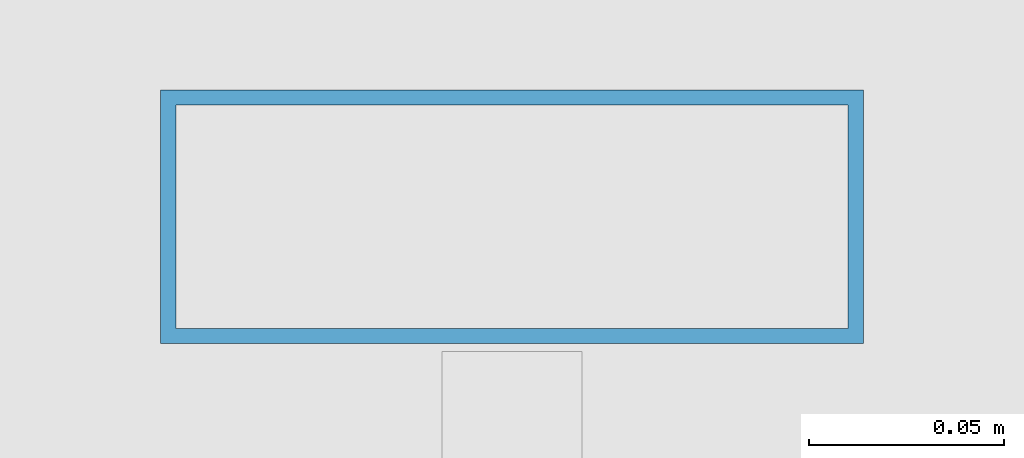
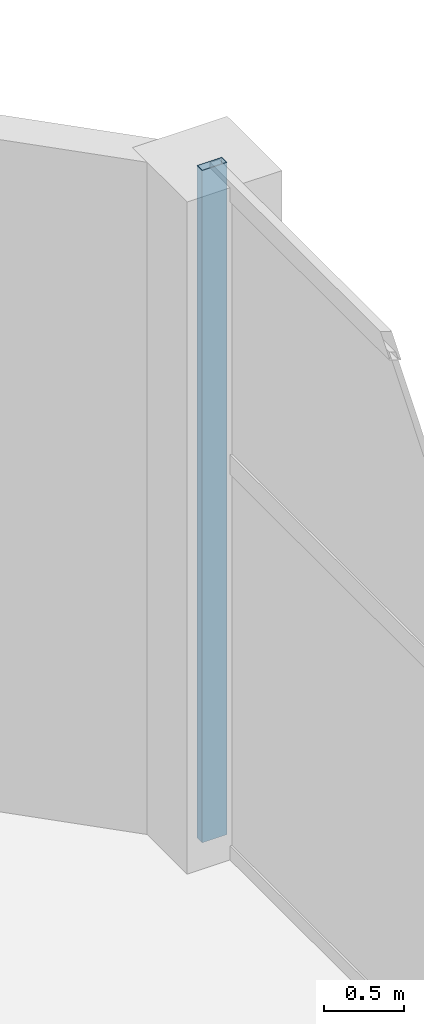
# One storey, part 31 of 51: 1 member, 1 element without a shape of its own.
"""IFC4 building model written with IfcOpenShell, lengths in metres."""

from ifc_helpers import new_model, si_unit, direction, frame, origin, origin_2d, place, context, subcontext, project, spatial, hollow_rectangle, extrude, material, material_profile, profile_set, type_object, element, aggregate, save


model = new_model("IFC4")

# Units and contexts
model_context = context("Model", 3, precision=1e-05, world=origin(), true_north=direction((0.0, 1.0)))
body_context = subcontext(model_context, "Body", "Model", "MODEL_VIEW")
ifc_project = project(units=[si_unit("LENGTHUNIT", "METRE"), si_unit("AREAUNIT", "SQUARE_METRE"), si_unit("VOLUMEUNIT", "CUBIC_METRE"), si_unit("PLANEANGLEUNIT", "RADIAN"), si_unit("MASSUNIT", "GRAM", prefix="KILO")], contexts=[model_context])

# Site, building, storey
site_placement = place(None, origin())
site = spatial("IfcSite", under=ifc_project, at=site_placement, CompositionType="ELEMENT")
building_placement = place(site_placement, origin())
building = spatial("IfcBuilding", under=site, at=building_placement, Name="Saevonmaru Cultural Tower", CompositionType="ELEMENT")
storey_placement = place(building_placement, frame((0.0, 0.0, 6.0)))
storey = spatial("IfcBuildingStorey", under=building, at=storey_placement, Name="L01", CompositionType="ELEMENT", Elevation=6.0)

# Curtain wall, member
ifc_material = material(Name="Satin Bronze Anodised Aluminium", Category="aluminium")
curtain_wall_type = type_object("IfcCurtainWallType", Name="CW-POD-GLZ", PredefinedType="NOTDEFINED", material=ifc_material)
curtain_wall_placement = place(storey_placement, origin())
curtain_wall = element("IfcCurtainWall", 1, at=curtain_wall_placement, inside=storey, type_object=curtain_wall_type, Name="L01 Saevon Plaza Curtain Wall", PredefinedType="NOTDEFINED")
ifc_material_profile = material_profile(ifc_material, hollow_rectangle(XDim=0.06494140625, YDim=0.179931640625, WallThickness=0.00390625, at=origin_2d()), Name="ALU-MULL-180x65x4")
ifc_profile_set = profile_set([ifc_material_profile], Name="Satin Bronze Anodised Aluminium")
member_type = type_object("IfcMemberType", Name="ML-CW-180x65", PredefinedType="MULLION", material=ifc_profile_set)
member_placement = place(storey_placement, frame((60.0, 52.739990234375, 0.0), z_axis=(0.0, 0.0, 1.0), x_axis=(0.0, 1.0, 0.0)))
member = element("IfcMember", 2, at=member_placement, type_object=member_type, Name="CW-POD-E-L01 mullion 6", PredefinedType="MULLION", context=body_context, shape_type="SweptSolid", body=[
    extrude(hollow_rectangle(XDim=0.06494140625, YDim=0.179931640625, WallThickness=0.00390625, at=origin_2d()), origin(), (0.0, 0.0, 1.0), 5.10009765625),
])
aggregate(curtain_wall, [member])

save(model, "model.ifc")
